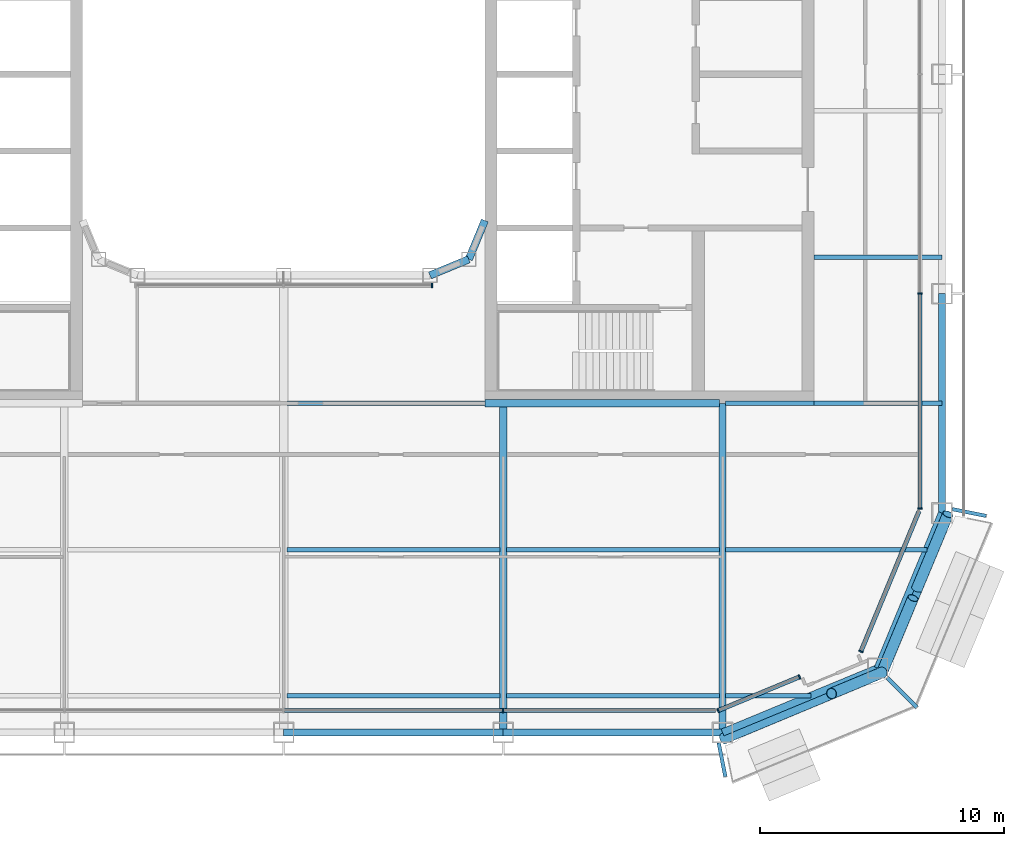
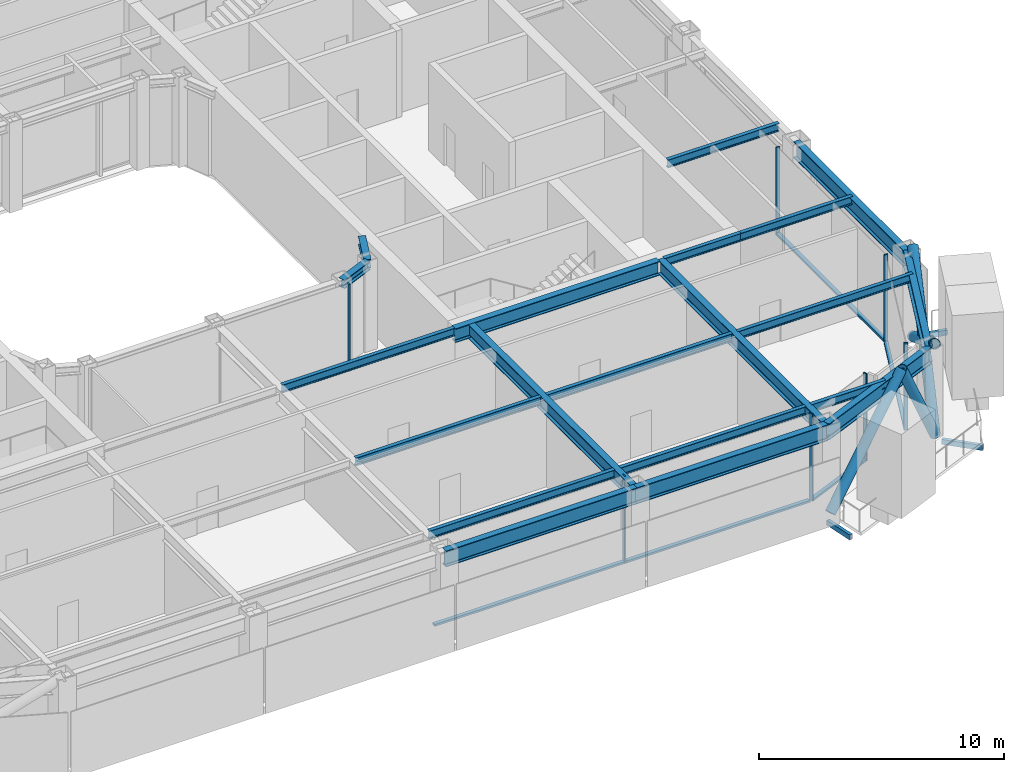
# One storey, part 4 of 22: 23 beams, 17 members, 5 elements without a shape of their own.
"""IFC4 building model written with IfcOpenShell, lengths in metres."""

from ifc_helpers import new_model, si_unit, direction, frame, origin, origin_2d, place, context, subcontext, project, spatial, rectangle, hollow_rectangle, hollow_circle, i_section, extrude, material, layer, layer_set, material_profile, profile_set, type_object, element, aggregate, save


model = new_model("IFC4")

# Units and contexts
model_context = context("Model", 3, precision=1e-05, world=origin(), true_north=direction((0.0, 1.0)))
body_context = subcontext(model_context, "Body", "Model", "MODEL_VIEW")
ifc_project = project(units=[si_unit("LENGTHUNIT", "METRE"), si_unit("AREAUNIT", "SQUARE_METRE"), si_unit("VOLUMEUNIT", "CUBIC_METRE"), si_unit("PLANEANGLEUNIT", "RADIAN"), si_unit("MASSUNIT", "GRAM", prefix="KILO")], contexts=[model_context])

# Site, building, storey
site_placement = place(None, origin())
site = spatial("IfcSite", under=ifc_project, at=site_placement, CompositionType="ELEMENT")
building_placement = place(site_placement, origin())
building = spatial("IfcBuilding", under=site, at=building_placement, Name="Siwar Civic Tower", CompositionType="ELEMENT")
storey_placement = place(building_placement, frame((0.0, 0.0, 201.699951171875)))
storey = spatial("IfcBuildingStorey", under=building, at=storey_placement, Name="L43", CompositionType="ELEMENT", Elevation=201.699951171875)

# Beams
ifc_material_1 = material(Name="Steel S355", Category="steel")
ifc_material_profile_1 = material_profile(ifc_material_1, hollow_rectangle(XDim=0.14990234375, YDim=0.25, WallThickness=0.010009765625, at=origin_2d()), Name="RHS250x150x10")
ifc_profile_set_1 = profile_set([ifc_material_profile_1], Name="Steel S355")
beam_type_1 = type_object("IfcBeamType", Name="ENV-BALCONY ARM", PredefinedType="BEAM", material=ifc_profile_set_1)
beam_1_placement = place(storey_placement, frame((17.83984375, -27.425048828125, -0.27490234375), z_axis=(0.195122471741, -0.980778884878, 0.0), x_axis=(0.980778884878, 0.195122471741, 0.0)))
element("IfcBeam", 1, at=beam_1_placement, inside=storey, type_object=beam_type_1, Name="Balcony cantilever beam SE 1", PredefinedType="BEAM", context=body_context, shape_type="SweptSolid", body=[
    extrude(hollow_rectangle(XDim=0.14990234375, YDim=0.25, WallThickness=0.010009765625, at=origin_2d()), origin(), (0.0, 0.0, 1.0), 1.417724609375),
])
beam_2_placement = place(storey_placement, frame((24.753662109375, -24.753662109375, -0.27490234375), z_axis=(0.707106781187, -0.707106781187, 0.0), x_axis=(0.707106781187, 0.707106781187, 0.0)))
element("IfcBeam", 2, at=beam_2_placement, inside=storey, type_object=beam_type_1, Name="Balcony cantilever beam SE 2", PredefinedType="BEAM", context=body_context, shape_type="SweptSolid", body=[
    extrude(hollow_rectangle(XDim=0.14990234375, YDim=0.25, WallThickness=0.010009765625, at=origin_2d()), origin(), (0.0, 0.0, 1.0), 1.721923828125),
])
beam_3_placement = place(storey_placement, frame((27.425048828125, -17.83984375, -0.27490234375), z_axis=(0.980778884878, -0.195122471741, 0.0), x_axis=(0.195122471741, 0.980778884878, 0.0)))
element("IfcBeam", 3, at=beam_3_placement, inside=storey, type_object=beam_type_1, Name="Balcony cantilever beam SE 3", PredefinedType="BEAM", context=body_context, shape_type="SweptSolid", body=[
    extrude(hollow_rectangle(XDim=0.14990234375, YDim=0.25, WallThickness=0.010009765625, at=origin_2d()), origin(), (0.0, 0.0, 1.0), 1.417724609375),
])

# Curtain wall, member
ifc_material_2 = material(Name="Aluminium and glass", Category="aluminium")
ifc_layer_1 = layer(ifc_material_2, 0.179931640625)
ifc_layer_set_1 = layer_set([ifc_layer_1], Name="Aluminium and glass")
curtain_wall_type_1 = type_object("IfcCurtainWallType", Name="ENV-CW-C", PredefinedType="NOTDEFINED", material=ifc_layer_set_1)
curtain_wall_1_placement = place(storey_placement, origin())
curtain_wall_1 = element("IfcCurtainWall", 4, at=curtain_wall_1_placement, inside=storey, type_object=curtain_wall_type_1, Name="Curtain wall C S", PredefinedType="NOTDEFINED")
ifc_material_3 = material(Name="Aluminium 6063-T6", Category="aluminium")
ifc_material_profile_2 = material_profile(ifc_material_3, rectangle(XDim=0.179931640625, YDim=0.06005859375, at=origin_2d()), Name="AL 180x60")
ifc_profile_set_2 = profile_set([ifc_material_profile_2], Name="Aluminium 6063-T6")
member_type_1 = type_object("IfcMemberType", Name="ENV-MULLION-C", PredefinedType="MULLION", material=ifc_profile_set_2)
member_1_placement = place(storey_placement, frame((9.0, -26.10009765625, 0.0), z_axis=(0.0, 0.0, 1.0), x_axis=(0.0, 1.0, 0.0)))
member_1 = element("IfcMember", 5, at=member_1_placement, type_object=member_type_1, Name="Mullion C S 4", PredefinedType="MULLION", context=body_context, shape_type="SweptSolid", body=[
    extrude(rectangle(XDim=0.179931640625, YDim=0.06005859375, at=origin_2d()), origin(), (0.0, 0.0, 1.0), 4.35009765625),
])

# Curtain wall, members
ifc_material_4 = material(Name="Aluminium clad insulated panel", Category="aluminium")
ifc_layer_2 = layer(ifc_material_4, 0.179931640625)
ifc_layer_set_2 = layer_set([ifc_layer_2], Name="Aluminium clad insulated panel")
curtain_wall_type_2 = type_object("IfcCurtainWallType", Name="ENV-CW-CX", PredefinedType="NOTDEFINED", material=ifc_layer_set_2)
curtain_wall_2_placement = place(storey_placement, origin())
curtain_wall_2 = element("IfcCurtainWall", 6, at=curtain_wall_2_placement, inside=storey, type_object=curtain_wall_type_2, Name="Curtain wall C SE1", PredefinedType="NOTDEFINED")
member_2_placement = place(storey_placement, frame((17.821044921875, -26.10009765625, 0.0), z_axis=(0.0, 0.0, 1.0), x_axis=(-0.382683432365, 0.923879532511, 0.0)))
member_2 = element("IfcMember", 7, at=member_2_placement, type_object=member_type_1, Name="Mullion C SE1 1", PredefinedType="MULLION", context=body_context, shape_type="SweptSolid", body=[
    extrude(rectangle(XDim=0.179931640625, YDim=0.06005859375, at=origin_2d()), origin(), (0.0, 0.0, 1.0), 4.35009765625),
])
member_3_placement = place(storey_placement, frame((21.153564453125, -24.719482421875, 0.0), z_axis=(0.0, 0.0, 1.0), x_axis=(-0.382683432365, 0.923879532511, 0.0)))
member_3 = element("IfcMember", 8, at=member_3_placement, type_object=member_type_1, Name="Mullion C SE1 2", PredefinedType="MULLION", context=body_context, shape_type="SweptSolid", body=[
    extrude(rectangle(XDim=0.179931640625, YDim=0.06005859375, at=origin_2d()), origin(), (0.0, 0.0, 1.0), 4.35009765625),
])

# Curtain wall, member
curtain_wall_3_placement = place(storey_placement, origin())
curtain_wall_3 = element("IfcCurtainWall", 9, at=curtain_wall_3_placement, inside=storey, type_object=curtain_wall_type_2, Name="Curtain wall C SE2", PredefinedType="NOTDEFINED")
member_4_placement = place(storey_placement, frame((23.675048828125, -23.675048828125, 0.0), z_axis=(0.0, 0.0, 1.0), x_axis=(-0.923879532511, 0.382683432365, 0.0)))
member_4 = element("IfcMember", 10, at=member_4_placement, type_object=member_type_1, Name="Mullion C SE2 1", PredefinedType="MULLION", context=body_context, shape_type="SweptSolid", body=[
    extrude(rectangle(XDim=0.179931640625, YDim=0.06005859375, at=origin_2d()), origin(), (0.0, 0.0, 1.0), 4.35009765625),
])

# Curtain wall, members
curtain_wall_4_placement = place(storey_placement, origin())
curtain_wall_4 = element("IfcCurtainWall", 11, at=curtain_wall_4_placement, inside=storey, type_object=curtain_wall_type_1, Name="Curtain wall C E", PredefinedType="NOTDEFINED")
member_5_placement = place(storey_placement, frame((26.10009765625, -17.821044921875, 0.0), z_axis=(0.0, 0.0, 1.0), x_axis=(-1.0, 0.0, 0.0)))
member_5 = element("IfcMember", 12, at=member_5_placement, type_object=member_type_1, Name="Mullion C E 1", PredefinedType="MULLION", context=body_context, shape_type="SweptSolid", body=[
    extrude(rectangle(XDim=0.179931640625, YDim=0.06005859375, at=origin_2d()), origin(), (0.0, 0.0, 1.0), 4.35009765625),
])
member_6_placement = place(storey_placement, frame((26.10009765625, -9.0, 0.0), z_axis=(0.0, 0.0, 1.0), x_axis=(-1.0, 0.0, 0.0)))
member_6 = element("IfcMember", 13, at=member_6_placement, type_object=member_type_1, Name="Mullion C E 2", PredefinedType="MULLION", context=body_context, shape_type="SweptSolid", body=[
    extrude(rectangle(XDim=0.179931640625, YDim=0.06005859375, at=origin_2d()), origin(), (0.0, 0.0, 1.0), 4.35009765625),
])

# Curtain wall, member
ifc_material_5 = material(Name="Aluminium and glass", Category="aluminium")
ifc_layer_3 = layer(ifc_material_5, 0.179931640625)
ifc_layer_set_3 = layer_set([ifc_layer_3], Name="Aluminium and glass")
curtain_wall_type_3 = type_object("IfcCurtainWallType", Name="ENV-CW-W", PredefinedType="NOTDEFINED", material=ifc_layer_set_3)
curtain_wall_5_placement = place(storey_placement, origin())
curtain_wall_5 = element("IfcCurtainWall", 14, at=curtain_wall_5_placement, inside=storey, type_object=curtain_wall_type_3, Name="Curtain wall W WS", PredefinedType="NOTDEFINED")
ifc_material_6 = material(Name="Aluminium 6063-T6", Category="aluminium")
ifc_material_profile_3 = material_profile(ifc_material_6, rectangle(XDim=0.179931640625, YDim=0.06005859375, at=origin_2d()), Name="AL 180x60")
ifc_profile_set_3 = profile_set([ifc_material_profile_3], Name="Aluminium 6063-T6")
member_type_2 = type_object("IfcMemberType", Name="ENV-MULLION-W", PredefinedType="MULLION", material=ifc_profile_set_3)
member_7_placement = place(storey_placement, frame((6.08154296875, -8.659912109375, 0.0), z_axis=(0.0, 0.0, 1.0), x_axis=(0.0, 1.0, 0.0)))
member_7 = element("IfcMember", 15, at=member_7_placement, type_object=member_type_2, Name="Mullion W WS 3", PredefinedType="MULLION", context=body_context, shape_type="SweptSolid", body=[
    extrude(rectangle(XDim=0.179931640625, YDim=0.06005859375, at=origin_2d()), origin(), (0.0, 0.0, 1.0), 4.35009765625),
])
aggregate(curtain_wall_5, [member_7])

# Member
ifc_material_7 = material(Name="Aluminium 6063-T6", Category="aluminium")
ifc_material_profile_4 = material_profile(ifc_material_7, rectangle(XDim=0.179931640625, YDim=0.10009765625, at=origin_2d()), Name="AL 180x100")
ifc_profile_set_4 = profile_set([ifc_material_profile_4], Name="Aluminium 6063-T6")
member_type_3 = type_object("IfcMemberType", Name="ENV-TRANSOM-C", PredefinedType="USERDEFINED", material=ifc_profile_set_4)
member_8_placement = place(storey_placement, frame((0.030029296875, -26.10009765625, 0.050048828125), z_axis=(1.0, 0.0, 0.0), x_axis=(0.0, 1.0, 0.0)))
member_8 = element("IfcMember", 16, at=member_8_placement, type_object=member_type_3, Name="Transom C S 3", ObjectType="TRANSOM", PredefinedType="USERDEFINED", context=body_context, shape_type="SweptSolid", body=[
    extrude(rectangle(XDim=0.179931640625, YDim=0.10009765625, at=origin_2d()), origin(), (0.0, 0.0, 1.0), 8.93994140625),
])

member_9_placement = place(storey_placement, frame((9.030029296875, -26.10009765625, 0.050048828125), z_axis=(1.0, 0.0, 0.0), x_axis=(0.0, 1.0, 0.0)))
member_9 = element("IfcMember", 17, at=member_9_placement, type_object=member_type_3, Name="Transom C S 4", ObjectType="TRANSOM", PredefinedType="USERDEFINED", context=body_context, shape_type="SweptSolid", body=[
    extrude(rectangle(XDim=0.179931640625, YDim=0.10009765625, at=origin_2d()), origin(), (0.0, 0.0, 1.0), 8.68603515625),
])

aggregate(curtain_wall_1, [member_1, member_8, member_9])

member_10_placement = place(storey_placement, frame((17.8486328125, -26.088623046875, 0.050048828125), z_axis=(0.92386500214, 0.3827185099, 0.0), x_axis=(-0.3827185099, 0.92386500214, 0.0)))
member_10 = element("IfcMember", 18, at=member_10_placement, type_object=member_type_3, Name="Transom C SE1 1", ObjectType="TRANSOM", PredefinedType="USERDEFINED", context=body_context, shape_type="SweptSolid", body=[
    extrude(rectangle(XDim=0.179931640625, YDim=0.10009765625, at=origin_2d()), origin(), (0.0, 0.0, 1.0), 3.54736328125),
])

aggregate(curtain_wall_2, [member_2, member_3, member_10])

member_11_placement = place(storey_placement, frame((23.6865234375, -23.6474609375, 0.050048828125), z_axis=(0.382691366456, 0.923876246063, 0.0), x_axis=(-0.923876246063, 0.382691366456, 0.0)))
member_11 = element("IfcMember", 19, at=member_11_placement, type_object=member_type_3, Name="Transom C SE2 1", ObjectType="TRANSOM", PredefinedType="USERDEFINED", context=body_context, shape_type="SweptSolid", body=[
    extrude(rectangle(XDim=0.179931640625, YDim=0.10009765625, at=origin_2d()), origin(), (0.0, 0.0, 1.0), 6.20166015625),
])

aggregate(curtain_wall_3, [member_4, member_11])

member_12_placement = place(storey_placement, frame((26.10009765625, -17.791015625, 0.050048828125), z_axis=(0.0, 1.0, 0.0), x_axis=(-1.0, 0.0, 0.0)))
member_12 = element("IfcMember", 20, at=member_12_placement, type_object=member_type_3, Name="Transom C E 1", ObjectType="TRANSOM", PredefinedType="USERDEFINED", context=body_context, shape_type="SweptSolid", body=[
    extrude(rectangle(XDim=0.179931640625, YDim=0.10009765625, at=origin_2d()), origin(), (0.0, 0.0, 1.0), 8.760986328125),
])

aggregate(curtain_wall_4, [member_5, member_6, member_12])

# Members
ifc_material_8 = material(Name="Steel S355", Category="steel")
ifc_material_profile_5 = material_profile(ifc_material_8, hollow_circle(Radius=0.228515625, WallThickness=0.02001953125, at=origin_2d()), Name="CHS457x20")
ifc_profile_set_5 = profile_set([ifc_material_profile_5], Name="Steel S355")
member_type_4 = type_object("IfcMemberType", Name="STR-BR-CHS457x20", PredefinedType="BRACE", material=ifc_profile_set_5)
member_13_placement = place(storey_placement, frame((27.2451171875, -18.048828125, 0.0), z_axis=(-0.323905527954, -0.777554562952, 0.538975055633), x_axis=(0.923108759191, -0.384538969033, 0.0)))
element("IfcMember", 21, at=member_13_placement, inside=storey, type_object=member_type_4, Name="L43/brc/CSE1-3-0-1", PredefinedType="BRACE", context=body_context, shape_type="SweptSolid", body=[
    extrude(hollow_circle(Radius=0.228515625, WallThickness=0.02001953125, at=origin_2d()), origin(), (0.0, 0.0, 1.0), 8.34912109375),
])
for number, where, z_axis, x_axis, name in (
    (22, (24.540771484375, -24.540771484375, 0.0), (0.323884455881, 0.777546448489, 0.538999424564), (-0.92311621485, 0.38452107079, 0.0), "L43/brc/CSE1-3-0-2"),
    (23, (25.972900390625, -21.10302734375, 2.383056640625), (0.323895306243, 0.777572496853, 0.538955325357), (-0.92311621485, 0.38452107079, 0.0), "L43/brc/CSE1-3-0-3"),
):
    element("IfcMember", number, at=place(storey_placement, frame(where, z_axis=z_axis, x_axis=x_axis)), inside=storey, type_object=member_type_4, Name=name, PredefinedType="BRACE", context=body_context, shape_type="SweptSolid", body=[
        extrude(hollow_circle(Radius=0.228515625, WallThickness=0.02001953125, at=origin_2d()), origin(), (0.0, 0.0, 1.0), 3.927978515625),
    ])
member_14_placement = place(storey_placement, frame((18.048828125, -27.2451171875, 0.0), z_axis=(0.672864582402, 0.280310719993, 0.684601456328), x_axis=(-0.384557494138, 0.923101041979, 0.0)))
element("IfcMember", 24, at=member_14_placement, inside=storey, type_object=member_type_4, Name="L43/brc/CSE1-3-0-0", PredefinedType="BRACE", context=body_context, shape_type="SweptSolid", body=[
    extrude(hollow_circle(Radius=0.228515625, WallThickness=0.02001953125, at=origin_2d()), origin(), (0.0, 0.0, 1.0), 6.5732421875),
])
member_15_placement = place(storey_placement, frame((24.540771484375, -24.540771484375, 0.0), z_axis=(-0.411570178484, -0.171426870802, 0.895110504993), x_axis=(0.384499368559, -0.923125254544, 0.0)))
element("IfcMember", 25, at=member_15_placement, inside=storey, type_object=member_type_4, Name="L43/brc/CSE1-3-0-6", PredefinedType="BRACE", context=body_context, shape_type="SweptSolid", body=[
    extrude(hollow_circle(Radius=0.228515625, WallThickness=0.02001953125, at=origin_2d()), origin(), (0.0, 0.0, 1.0), 5.02734375),
])

# Beams
ifc_material_9 = material(Name="Steel S355", Category="steel")
ifc_material_profile_6 = material_profile(ifc_material_9, i_section(OverallWidth=0.179931640625, OverallDepth=0.39990234375, WebThickness=0.008544921875, FlangeThickness=0.013427734375, FilletRadius=0.02099609375, at=origin_2d()), Name="IPE400")
ifc_profile_set_6 = profile_set([ifc_material_profile_6], Name="Steel S355")
beam_type_2 = type_object("IfcBeamType", Name="STR-FB-IPE400", PredefinedType="JOIST", material=ifc_profile_set_6)
for number, where, z_axis, x_axis, name in (
    (26, (0.1298828125, -25.5, 4.150146484375), (1.0, 0.0, 0.0), (0.0, 1.0, 0.0), "L43/bm/F004"),
    (27, (9.1298828125, -25.5, 4.150146484375), (1.0, 0.0, 0.0), (0.0, 1.0, 0.0), "L43/bm/F005"),
):
    element("IfcBeam", number, at=place(storey_placement, frame(where, z_axis=z_axis, x_axis=x_axis)), inside=storey, type_object=beam_type_2, Name=name, PredefinedType="JOIST", context=body_context, shape_type="SweptSolid", body=[
        extrude(i_section(OverallWidth=0.179931640625, OverallDepth=0.39990234375, WebThickness=0.008544921875, FlangeThickness=0.013427734375, FilletRadius=0.02099609375, at=origin_2d()), origin(), (0.0, 0.0, 1.0), 8.740234375),
    ])
beam_4_placement = place(storey_placement, frame((18.1298828125, -25.5, 4.150146484375), z_axis=(1.0, 0.0, 0.0), x_axis=(0.0, 1.0, 0.0)))
element("IfcBeam", 28, at=beam_4_placement, inside=storey, type_object=beam_type_2, Name="L43/bm/F006", PredefinedType="JOIST", context=body_context, shape_type="SweptSolid", body=[
    extrude(i_section(OverallWidth=0.179931640625, OverallDepth=0.39990234375, WebThickness=0.008544921875, FlangeThickness=0.013427734375, FilletRadius=0.02099609375, at=origin_2d()), origin(), (0.0, 0.0, 1.0), 3.491455078125),
])
for number, where, z_axis, x_axis, name in (
    (29, (0.1298828125, -19.5, 4.150146484375), (1.0, 0.0, 0.0), (0.0, 1.0, 0.0), "L43/bm/F010"),
    (30, (9.1298828125, -19.5, 4.150146484375), (1.0, 0.0, 0.0), (0.0, 1.0, 0.0), "L43/bm/F011"),
):
    element("IfcBeam", number, at=place(storey_placement, frame(where, z_axis=z_axis, x_axis=x_axis)), inside=storey, type_object=beam_type_2, Name=name, PredefinedType="JOIST", context=body_context, shape_type="SweptSolid", body=[
        extrude(i_section(OverallWidth=0.179931640625, OverallDepth=0.39990234375, WebThickness=0.008544921875, FlangeThickness=0.013427734375, FilletRadius=0.02099609375, at=origin_2d()), origin(), (0.0, 0.0, 1.0), 8.740234375),
    ])
beam_5_placement = place(storey_placement, frame((18.1298828125, -19.5, 4.150146484375), z_axis=(1.0, 0.0, 0.0), x_axis=(0.0, 1.0, 0.0)))
element("IfcBeam", 31, at=beam_5_placement, inside=storey, type_object=beam_type_2, Name="L43/bm/F012", PredefinedType="JOIST", context=body_context, shape_type="SweptSolid", body=[
    extrude(i_section(OverallWidth=0.179931640625, OverallDepth=0.39990234375, WebThickness=0.008544921875, FlangeThickness=0.013427734375, FilletRadius=0.02099609375, at=origin_2d()), origin(), (0.0, 0.0, 1.0), 8.248779296875),
])
beam_6_placement = place(storey_placement, frame((0.1298828125, -13.5, 4.150146484375), z_axis=(1.0, 0.0, 0.0), x_axis=(0.0, 1.0, 0.0)))
element("IfcBeam", 32, at=beam_6_placement, inside=storey, type_object=beam_type_2, Name="L43/bm/F017", PredefinedType="JOIST", context=body_context, shape_type="SweptSolid", body=[
    extrude(i_section(OverallWidth=0.179931640625, OverallDepth=0.39990234375, WebThickness=0.008544921875, FlangeThickness=0.013427734375, FilletRadius=0.02099609375, at=origin_2d()), origin(), (0.0, 0.0, 1.0), 8.1201171875),
])
beam_7_placement = place(storey_placement, frame((18.1298828125, -13.5, 4.150146484375), z_axis=(1.0, 0.0, 0.0), x_axis=(0.0, 1.0, 0.0)))
element("IfcBeam", 33, at=beam_7_placement, inside=storey, type_object=beam_type_2, Name="L43/bm/F019", PredefinedType="JOIST", context=body_context, shape_type="SweptSolid", body=[
    extrude(i_section(OverallWidth=0.179931640625, OverallDepth=0.39990234375, WebThickness=0.008544921875, FlangeThickness=0.013427734375, FilletRadius=0.02099609375, at=origin_2d()), origin(), (0.0, 0.0, 1.0), 3.6201171875),
])
for number, where, z_axis, x_axis, name in (
    (34, (21.75, -13.5, 4.150146484375), (1.0, 0.0, 0.0), (0.0, 1.0, 0.0), "L43/bm/F020"),
    (35, (21.75, -7.5, 4.150146484375), (1.0, 0.0, 0.0), (0.0, 1.0, 0.0), "L43/bm/F022"),
):
    element("IfcBeam", number, at=place(storey_placement, frame(where, z_axis=z_axis, x_axis=x_axis)), inside=storey, type_object=beam_type_2, Name=name, PredefinedType="JOIST", context=body_context, shape_type="SweptSolid", body=[
        extrude(i_section(OverallWidth=0.179931640625, OverallDepth=0.39990234375, WebThickness=0.008544921875, FlangeThickness=0.013427734375, FilletRadius=0.02099609375, at=origin_2d()), origin(), (0.0, 0.0, 1.0), 5.25),
    ])
ifc_material_10 = material(Name="Steel S355", Category="steel")
ifc_material_profile_7 = material_profile(ifc_material_10, i_section(OverallWidth=0.300048828125, OverallDepth=0.699951171875, WebThickness=0.01708984375, FlangeThickness=0.031982421875, FilletRadius=0.027099609375, at=origin_2d()), Name="HEB700")
ifc_profile_set_7 = profile_set([ifc_material_profile_7], Name="Steel S355")
beam_type_3 = type_object("IfcBeamType", Name="STR-PG-HEB700", PredefinedType="BEAM", material=ifc_profile_set_7)
for number, where, z_axis, x_axis, name in (
    (36, (9.0, -27.0, 4.0), (0.0, 1.0, 0.0), (-1.0, 0.0, 0.0), "L43/bm/G07"),
    (37, (18.0, -27.0, 4.0), (0.0, 1.0, 0.0), (-1.0, 0.0, 0.0), "L43/bm/G09"),
):
    element("IfcBeam", number, at=place(storey_placement, frame(where, z_axis=z_axis, x_axis=x_axis)), inside=storey, type_object=beam_type_3, Name=name, PredefinedType="BEAM", context=body_context, shape_type="SweptSolid", body=[
        extrude(i_section(OverallWidth=0.300048828125, OverallDepth=0.699951171875, WebThickness=0.01708984375, FlangeThickness=0.031982421875, FilletRadius=0.027099609375, at=origin_2d()), origin(), (0.0, 0.0, 1.0), 13.5),
    ])
beam_8_placement = place(storey_placement, frame((8.25, -13.5, 4.0), z_axis=(1.0, 0.0, 0.0), x_axis=(0.0, 1.0, 0.0)))
element("IfcBeam", 38, at=beam_8_placement, inside=storey, type_object=beam_type_3, Name="L43/bm/F018", PredefinedType="BEAM", context=body_context, shape_type="SweptSolid", body=[
    extrude(i_section(OverallWidth=0.300048828125, OverallDepth=0.699951171875, WebThickness=0.01708984375, FlangeThickness=0.031982421875, FilletRadius=0.027099609375, at=origin_2d()), origin(), (0.0, 0.0, 1.0), 9.6201171875),
])
ifc_material_11 = material(Name="Steel S355", Category="steel")
ifc_material_profile_8 = material_profile(ifc_material_11, i_section(OverallWidth=0.306884765625, OverallDepth=0.431884765625, WebThickness=0.02099609375, FlangeThickness=0.0400390625, FilletRadius=0.027099609375, at=origin_2d()), Name="HEM400")
ifc_profile_set_8 = profile_set([ifc_material_profile_8], Name="Steel S355")
beam_type_4 = type_object("IfcBeamType", Name="STR-RB-HEM400", PredefinedType="BEAM", material=ifc_profile_set_8)
for number, where, z_axis, x_axis, name in (
    (39, (6.0, -8.25, 4.134033203125), (0.923901072997, 0.382631424892, 0.0), (-0.382631424892, 0.923901072997, 0.0), "L43/bm/RS3"),
    (40, (7.591064453125, -7.591064453125, 4.134033203125), (0.382631424892, 0.923901072997, 0.0), (-0.923901072997, 0.382631424892, 0.0), "L43/bm/RSEE"),
):
    element("IfcBeam", number, at=place(storey_placement, frame(where, z_axis=z_axis, x_axis=x_axis)), inside=storey, type_object=beam_type_4, Name=name, PredefinedType="BEAM", context=body_context, shape_type="SweptSolid", body=[
        extrude(i_section(OverallWidth=0.306884765625, OverallDepth=0.431884765625, WebThickness=0.02099609375, FlangeThickness=0.0400390625, FilletRadius=0.027099609375, at=origin_2d()), origin(), (0.0, 0.0, 1.0), 1.72216796875),
    ])
ifc_material_12 = material(Name="Steel S355", Category="steel")
ifc_material_profile_9 = material_profile(ifc_material_12, i_section(OverallWidth=0.300048828125, OverallDepth=0.800048828125, WebThickness=0.017578125, FlangeThickness=0.032958984375, FilletRadius=0.030029296875, at=origin_2d()), Name="HEB800")
ifc_profile_set_9 = profile_set([ifc_material_profile_9], Name="Steel S355")
beam_type_5 = type_object("IfcBeamType", Name="STR-SB-HEB800", PredefinedType="BEAM", material=ifc_profile_set_9)
for number, where, z_axis, x_axis, name in (
    (41, (0.0, -27.0, 3.949951171875), (1.0, 0.0, 0.0), (0.0, 1.0, 0.0), "L43/bm/SS-2"),
    (42, (9.0, -27.0, 3.949951171875), (1.0, 0.0, 0.0), (0.0, 1.0, 0.0), "L43/bm/SS-3"),
):
    element("IfcBeam", number, at=place(storey_placement, frame(where, z_axis=z_axis, x_axis=x_axis)), inside=storey, type_object=beam_type_5, Name=name, PredefinedType="BEAM", context=body_context, shape_type="SweptSolid", body=[
        extrude(i_section(OverallWidth=0.300048828125, OverallDepth=0.800048828125, WebThickness=0.017578125, FlangeThickness=0.032958984375, FilletRadius=0.030029296875, at=origin_2d()), origin(), (0.0, 0.0, 1.0), 9.0),
    ])
for number, where, z_axis, x_axis, name in (
    (43, (18.0, -27.0, 3.949951171875), (0.923883353507, 0.382674207535, 0.0), (-0.382674207535, 0.923883353507, 0.0), "L43/bm/SSE1-0"),
    (44, (24.364013671875, -24.364013671875, 3.949951171875), (0.382674207535, 0.923883353507, 0.0), (-0.923883353507, 0.382674207535, 0.0), "L43/bm/SSE2-0"),
):
    element("IfcBeam", number, at=place(storey_placement, frame(where, z_axis=z_axis, x_axis=x_axis)), inside=storey, type_object=beam_type_5, Name=name, PredefinedType="BEAM", context=body_context, shape_type="SweptSolid", body=[
        extrude(i_section(OverallWidth=0.300048828125, OverallDepth=0.800048828125, WebThickness=0.017578125, FlangeThickness=0.032958984375, FilletRadius=0.030029296875, at=origin_2d()), origin(), (0.0, 0.0, 1.0), 6.888427734375),
    ])
beam_9_placement = place(storey_placement, frame((27.0, -18.0, 3.949951171875), z_axis=(0.0, 1.0, 0.0), x_axis=(-1.0, 0.0, 0.0)))
element("IfcBeam", 45, at=beam_9_placement, inside=storey, type_object=beam_type_5, Name="L43/bm/SE-0", PredefinedType="BEAM", context=body_context, shape_type="SweptSolid", body=[
    extrude(i_section(OverallWidth=0.300048828125, OverallDepth=0.800048828125, WebThickness=0.017578125, FlangeThickness=0.032958984375, FilletRadius=0.030029296875, at=origin_2d()), origin(), (0.0, 0.0, 1.0), 9.0),
])

save(model, "model.ifc")
